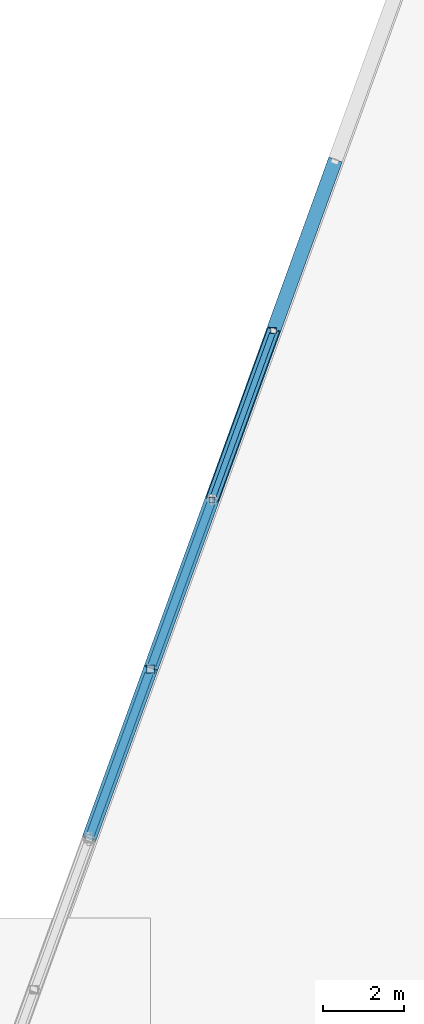
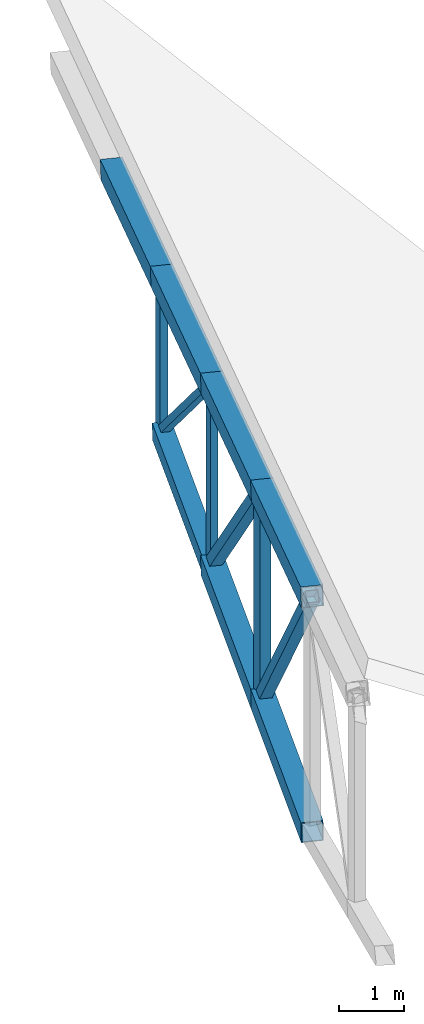
# One storey, part 22 of 188: 13 members.
"""IFC4 building model written with IfcOpenShell, lengths in metres."""

from ifc_helpers import new_model, si_unit, direction, frame, origin, origin_2d, place, context, subcontext, project, spatial, hollow_rectangle, extrude, material, material_profile, profile_set, type_object, element, save


model = new_model("IFC4")

# Units and contexts
model_context = context("Model", 3, precision=1e-05, world=origin(), true_north=direction((0.0, 1.0)))
body_context = subcontext(model_context, "Body", "Model", "MODEL_VIEW")
ifc_project = project(units=[si_unit("LENGTHUNIT", "METRE"), si_unit("AREAUNIT", "SQUARE_METRE"), si_unit("VOLUMEUNIT", "CUBIC_METRE"), si_unit("PLANEANGLEUNIT", "RADIAN"), si_unit("MASSUNIT", "GRAM", prefix="KILO")], contexts=[model_context])

# Site, building, storey
site_placement = place(None, origin())
site = spatial("IfcSite", under=ifc_project, at=site_placement, CompositionType="ELEMENT")
building_placement = place(site_placement, origin())
building = spatial("IfcBuilding", under=site, at=building_placement, Name="Meseta Stadium", CompositionType="ELEMENT")
storey_placement = place(building_placement, frame((0.0, 0.0, 30.0)))
storey = spatial("IfcBuildingStorey", under=building, at=storey_placement, Name="ROOF", CompositionType="ELEMENT", Elevation=30.0)

# Members
ifc_material_1 = material(Name="Steel S355", Category="steel")
ifc_material_profile_1 = material_profile(ifc_material_1, hollow_rectangle(XDim=0.139892578125, YDim=0.139892578125, WallThickness=0.0048828125, at=origin_2d()), Name="SHS 140x140x5")
ifc_profile_set_1 = profile_set([ifc_material_profile_1], Name="Steel S355")
member_type_1 = type_object("IfcMemberType", Name="SHS 140x140x5 diagonal", PredefinedType="BRACE", material=ifc_profile_set_1)
member_1_placement = place(storey_placement, frame((-28.411865234375, -78.06396484375, 0.661865234375), z_axis=(-0.254454267299, -0.701065094245, 0.6661537056), x_axis=(0.939999305221, -0.341176356426, 0.0)))
element("IfcMember", 1, at=member_1_placement, inside=storey, type_object=member_type_1, Name="ROOF TRUSS RT-44 diagonal", PredefinedType="BRACE", context=body_context, shape_type="SweptSolid", body=[
    extrude(hollow_rectangle(XDim=0.139892578125, YDim=0.139892578125, WallThickness=0.0048828125, at=origin_2d()), origin(), (0.0, 0.0, 1.0), 5.937255859375),
])
ifc_material_2 = material(Name="Steel S355", Category="steel")
ifc_material_profile_2 = material_profile(ifc_material_2, hollow_rectangle(XDim=0.139892578125, YDim=0.139892578125, WallThickness=0.0048828125, at=origin_2d()), Name="SHS 140x140x5")
ifc_profile_set_2 = profile_set([ifc_material_profile_2], Name="Steel S355")
member_type_2 = type_object("IfcMemberType", Name="SHS 140x140x5 post", PredefinedType="POST", material=ifc_profile_set_2)
member_2_placement = place(storey_placement, frame((-28.411865234375, -78.06396484375, 0.661865234375), z_axis=(0.0, 0.0, 1.0), x_axis=(1.0, 0.0, 0.0)))
element("IfcMember", 2, at=member_2_placement, inside=storey, type_object=member_type_2, Name="ROOF TRUSS RT-44 post", PredefinedType="POST", context=body_context, shape_type="SweptSolid", body=[
    extrude(hollow_rectangle(XDim=0.139892578125, YDim=0.139892578125, WallThickness=0.0048828125, at=origin_2d()), origin(), (0.0, 0.0, 1.0), 2.9140625),
])
member_3_placement = place(storey_placement, frame((-29.922607421875, -82.226318359375, 1.1982421875), z_axis=(0.0, 0.0, 1.0), x_axis=(1.0, 0.0, 0.0)))
element("IfcMember", 3, at=member_3_placement, inside=storey, type_object=member_type_2, Name="ROOF TRUSS RT-44 post", PredefinedType="POST", context=body_context, shape_type="SweptSolid", body=[
    extrude(hollow_rectangle(XDim=0.139892578125, YDim=0.139892578125, WallThickness=0.0048828125, at=origin_2d()), origin(), (0.0, 0.0, 1.0), 3.418701171875),
])
ifc_material_3 = material(Name="Steel S355", Category="steel")
ifc_material_profile_3 = material_profile(ifc_material_3, hollow_rectangle(XDim=0.199951171875, YDim=0.199951171875, WallThickness=0.008056640625, at=origin_2d()), Name="SHS 200x200x8")
ifc_profile_set_3 = profile_set([ifc_material_profile_3], Name="Steel S355")
member_type_3 = type_object("IfcMemberType", Name="SHS 200x200x8 diagonal", PredefinedType="BRACE", material=ifc_profile_set_3)
member_4_placement = place(storey_placement, frame((-29.922607421875, -82.226318359375, 1.1982421875), z_axis=(-0.240386728258, -0.662306614428, 0.709622554153), x_axis=(0.939999305221, -0.341176356426, 0.0)))
element("IfcMember", 4, at=member_4_placement, inside=storey, type_object=member_type_3, Name="ROOF TRUSS RT-44 diagonal", PredefinedType="BRACE", context=body_context, shape_type="SweptSolid", body=[
    extrude(hollow_rectangle(XDim=0.199951171875, YDim=0.199951171875, WallThickness=0.008056640625, at=origin_2d()), origin(), (0.0, 0.0, 1.0), 6.28466796875),
])
member_5_placement = place(storey_placement, frame((-31.433349609375, -86.388671875, 1.734619140625), z_axis=(-0.227102632408, -0.625706654803, 0.746267764605), x_axis=(0.939999305221, -0.341176356426, 0.0)))
element("IfcMember", 5, at=member_5_placement, inside=storey, type_object=member_type_3, Name="ROOF TRUSS RT-44 diagonal", PredefinedType="BRACE", context=body_context, shape_type="SweptSolid", body=[
    extrude(hollow_rectangle(XDim=0.199951171875, YDim=0.199951171875, WallThickness=0.008056640625, at=origin_2d()), origin(), (0.0, 0.0, 1.0), 6.65234375),
])
ifc_material_4 = material(Name="Steel S355", Category="steel")
ifc_material_profile_4 = material_profile(ifc_material_4, hollow_rectangle(XDim=0.199951171875, YDim=0.199951171875, WallThickness=0.008056640625, at=origin_2d()), Name="SHS 200x200x8")
ifc_profile_set_4 = profile_set([ifc_material_profile_4], Name="Steel S355")
member_type_4 = type_object("IfcMemberType", Name="SHS 200x200x8 post", PredefinedType="POST", material=ifc_profile_set_4)
member_6_placement = place(storey_placement, frame((-31.433349609375, -86.388671875, 1.734619140625), z_axis=(0.0, 0.0, 1.0), x_axis=(1.0, 0.0, 0.0)))
element("IfcMember", 6, at=member_6_placement, inside=storey, type_object=member_type_4, Name="ROOF TRUSS RT-44 post", PredefinedType="POST", context=body_context, shape_type="SweptSolid", body=[
    extrude(hollow_rectangle(XDim=0.199951171875, YDim=0.199951171875, WallThickness=0.008056640625, at=origin_2d()), origin(), (0.0, 0.0, 1.0), 3.92333984375),
])
ifc_material_5 = material(Name="Steel S355", Category="steel")
ifc_material_profile_5 = material_profile(ifc_material_5, hollow_rectangle(XDim=0.300048828125, YDim=0.300048828125, WallThickness=0.010009765625, at=origin_2d()), Name="SHS 300x300x10")
ifc_profile_set_5 = profile_set([ifc_material_profile_5], Name="Steel S355")
member_type_5 = type_object("IfcMemberType", Name="SHS 300x300x10 bottom chord", PredefinedType="CHORD", material=ifc_profile_set_5)
member_7_placement = place(storey_placement, frame((-28.411865234375, -78.06396484375, 0.661865234375), z_axis=(-0.338700537674, -0.933178000454, 0.120252921989), x_axis=(0.939999305221, -0.341176356426, 0.0)))
element("IfcMember", 7, at=member_7_placement, inside=storey, type_object=member_type_5, Name="ROOF TRUSS RT-44 bottom chord", PredefinedType="CHORD", context=body_context, shape_type="SweptSolid", body=[
    extrude(hollow_rectangle(XDim=0.300048828125, YDim=0.300048828125, WallThickness=0.010009765625, at=origin_2d()), origin(), (0.0, 0.0, 1.0), 4.46044921875),
])
ifc_material_6 = material(Name="Steel S355", Category="steel")
ifc_material_profile_6 = material_profile(ifc_material_6, hollow_rectangle(XDim=0.35009765625, YDim=0.35009765625, WallThickness=0.010009765625, at=origin_2d()), Name="SHS 350x350x10")
ifc_profile_set_6 = profile_set([ifc_material_profile_6], Name="Steel S355")
member_type_6 = type_object("IfcMemberType", Name="SHS 350x350x10 top chord", PredefinedType="CHORD", material=ifc_profile_set_6)
for number, where, z_axis, x_axis, name in (
    (8, (-26.901123046875, -73.901611328125, 2.534912109375), (-0.332121563749, -0.915051800317, 0.228856875861), (0.939999305221, -0.341176356426, 0.0), "ROOF TRUSS RT-44 top chord"),
    (9, (-28.411865234375, -78.06396484375, 3.575927734375), (-0.332121563749, -0.915051800317, 0.228856875861), (0.939999305221, -0.341176356426, 0.0), "ROOF TRUSS RT-44 top chord"),
    (10, (-29.922607421875, -82.226318359375, 4.616943359375), (-0.332121563749, -0.915051800317, 0.228856875861), (0.939999305221, -0.341176356426, 0.0), "ROOF TRUSS RT-44 top chord"),
):
    element("IfcMember", number, at=place(storey_placement, frame(where, z_axis=z_axis, x_axis=x_axis)), inside=storey, type_object=member_type_6, Name=name, PredefinedType="CHORD", context=body_context, shape_type="SweptSolid", body=[
        extrude(hollow_rectangle(XDim=0.35009765625, YDim=0.35009765625, WallThickness=0.010009765625, at=origin_2d()), origin(), (0.0, 0.0, 1.0), 4.548828125),
    ])
ifc_material_7 = material(Name="Steel S355", Category="steel")
ifc_material_profile_7 = material_profile(ifc_material_7, hollow_rectangle(XDim=0.35009765625, YDim=0.35009765625, WallThickness=0.01416015625, at=origin_2d()), Name="SHS 350x350x14.2")
ifc_profile_set_7 = profile_set([ifc_material_profile_7], Name="Steel S355")
member_type_7 = type_object("IfcMemberType", Name="SHS 350x350x14.2 bottom chord", PredefinedType="CHORD", material=ifc_profile_set_7)
for number, where, z_axis, x_axis, name in (
    (11, (-29.922607421875, -82.226318359375, 1.1982421875), (-0.338700537674, -0.933178000454, 0.120252921989), (0.939999305221, -0.341176356426, 0.0), "ROOF TRUSS RT-44 bottom chord"),
    (12, (-31.433349609375, -86.388671875, 1.734619140625), (-0.338700537674, -0.933178000454, 0.120252921989), (0.939999305221, -0.341176356426, 0.0), "ROOF TRUSS RT-44 bottom chord"),
):
    element("IfcMember", number, at=place(storey_placement, frame(where, z_axis=z_axis, x_axis=x_axis)), inside=storey, type_object=member_type_7, Name=name, PredefinedType="CHORD", context=body_context, shape_type="SweptSolid", body=[
        extrude(hollow_rectangle(XDim=0.35009765625, YDim=0.35009765625, WallThickness=0.01416015625, at=origin_2d()), origin(), (0.0, 0.0, 1.0), 4.46044921875),
    ])
ifc_material_8 = material(Name="Steel S355", Category="steel")
ifc_material_profile_8 = material_profile(ifc_material_8, hollow_rectangle(XDim=0.35009765625, YDim=0.35009765625, WallThickness=0.01416015625, at=origin_2d()), Name="SHS 350x350x14.2")
ifc_profile_set_8 = profile_set([ifc_material_profile_8], Name="Steel S355")
member_type_8 = type_object("IfcMemberType", Name="SHS 350x350x14.2 top chord", PredefinedType="CHORD", material=ifc_profile_set_8)
member_8_placement = place(storey_placement, frame((-31.433349609375, -86.388671875, 5.657958984375), z_axis=(-0.332121563749, -0.915051800317, 0.228856875861), x_axis=(0.939999305221, -0.341176356426, 0.0)))
element("IfcMember", 13, at=member_8_placement, inside=storey, type_object=member_type_8, Name="ROOF TRUSS RT-44 top chord", PredefinedType="CHORD", context=body_context, shape_type="SweptSolid", body=[
    extrude(hollow_rectangle(XDim=0.35009765625, YDim=0.35009765625, WallThickness=0.01416015625, at=origin_2d()), origin(), (0.0, 0.0, 1.0), 4.548828125),
])

save(model, "model.ifc")
